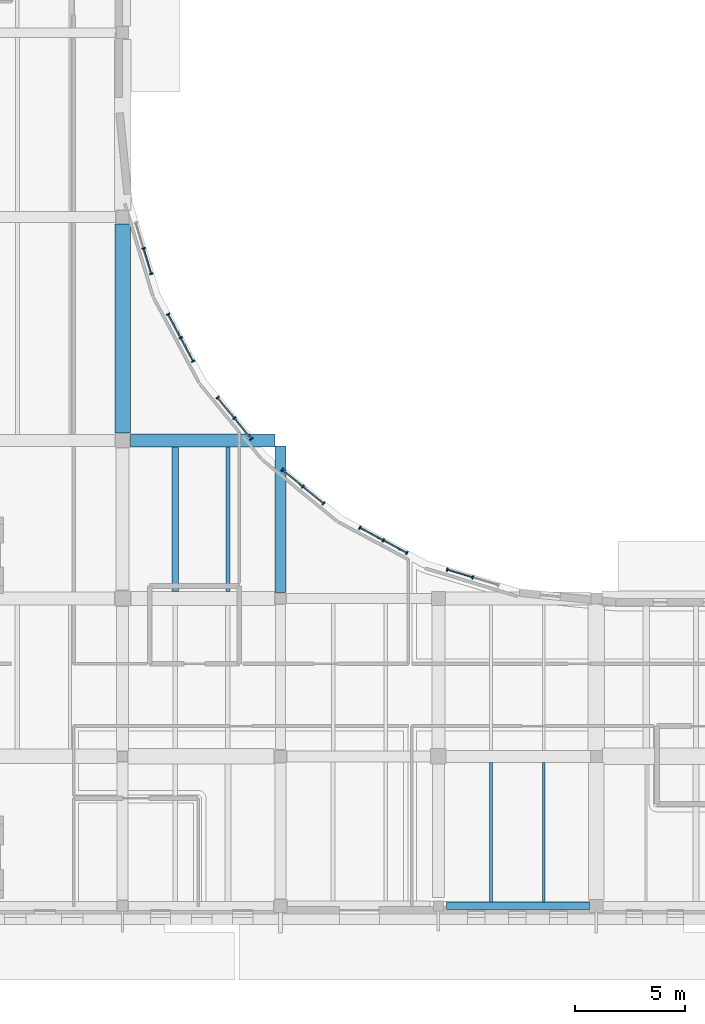
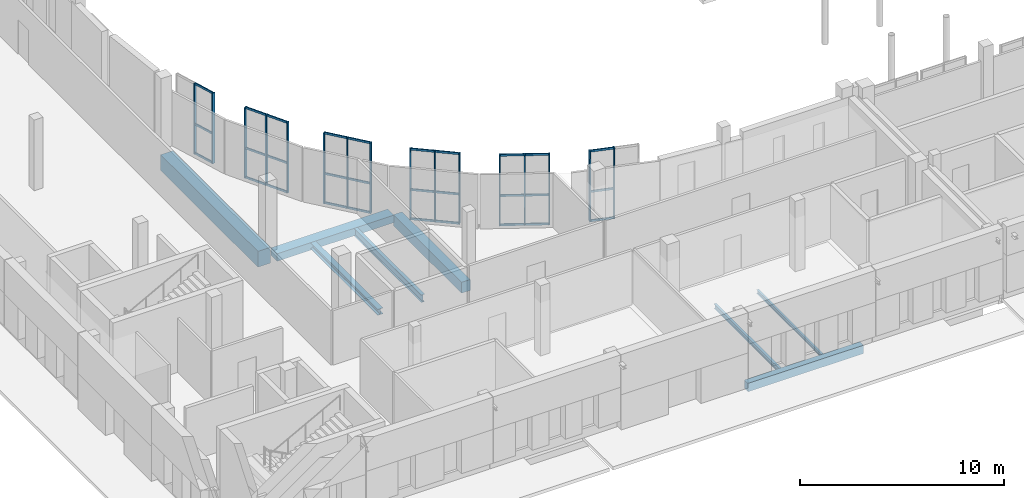
# One storey, part 8 of 77: 46 members, 8 beams, 6 elements without a shape of their own.
"""IFC4 building model written with IfcOpenShell, lengths in metres."""

from ifc_helpers import new_model, si_unit, direction, frame, origin, origin_2d, place, context, subcontext, project, spatial, rectangle, i_section, extrude, material, layer, layer_set, material_profile, profile_set, type_object, element, aggregate, save


model = new_model("IFC4")

# Units and contexts
model_context = context("Model", 3, precision=1e-05, world=origin(), true_north=direction((0.0, 1.0)))
body_context = subcontext(model_context, "Body", "Model", "MODEL_VIEW")
ifc_project = project(units=[si_unit("LENGTHUNIT", "METRE"), si_unit("AREAUNIT", "SQUARE_METRE"), si_unit("VOLUMEUNIT", "CUBIC_METRE"), si_unit("PLANEANGLEUNIT", "RADIAN"), si_unit("MASSUNIT", "GRAM", prefix="KILO")], contexts=[model_context])

# Site, building, storey
site_placement = place(None, origin())
site = spatial("IfcSite", under=ifc_project, at=site_placement, CompositionType="ELEMENT")
building_placement = place(site_placement, origin())
building = spatial("IfcBuilding", under=site, at=building_placement, Name="Vardoun Plaza Health Centre", CompositionType="ELEMENT")
storey_placement = place(building_placement, origin())
storey = spatial("IfcBuildingStorey", under=building, at=storey_placement, Name="L00", CompositionType="ELEMENT", Elevation=0.0)

# Beams
ifc_material_1 = material(Name="Concrete C35/45", Category="concrete")
ifc_material_profile_1 = material_profile(ifc_material_1, rectangle(XDim=0.35009765625, YDim=0.5, at=origin_2d()), Name="RC-BM 350x500")
ifc_profile_set_1 = profile_set([ifc_material_profile_1], Name="Concrete C35/45")
beam_type_1 = type_object("IfcBeamType", Name="B-08", PredefinedType="SPANDREL", material=ifc_profile_set_1)
beam_1_placement = place(storey_placement, frame((33.675048828125, 4.8798828125, -0.530029296875), z_axis=(1.0, 0.0, 0.0), x_axis=(0.0, 1.0, 0.0)))
element("IfcBeam", 1, at=beam_1_placement, inside=storey, type_object=beam_type_1, Name="V2 L00 Beam B-V2-L00-X28", PredefinedType="SPANDREL", context=body_context, shape_type="SweptSolid", body=[
    extrude(rectangle(XDim=0.35009765625, YDim=0.5, at=origin_2d()), origin(), (0.0, 0.0, 1.0), 6.52490234375),
])
ifc_material_2 = material(Name="Concrete C40/50", Category="concrete")
ifc_material_profile_2 = material_profile(ifc_material_2, rectangle(XDim=0.5, YDim=0.64990234375, at=origin_2d()), Name="RC-BM 500x650")
ifc_profile_set_2 = profile_set([ifc_material_profile_2], Name="Concrete C40/50")
beam_type_2 = type_object("IfcBeamType", Name="B-13", PredefinedType="BEAM", material=ifc_profile_set_2)
beam_2_placement = place(storey_placement, frame((26.10009765625, 19.175048828125, -0.60498046875), z_axis=(0.0, 1.0, 0.0), x_axis=(-1.0, 0.0, 0.0)))
element("IfcBeam", 2, at=beam_2_placement, inside=storey, type_object=beam_type_2, Name="V2 L00 Beam B-V2-L00-Y61", PredefinedType="BEAM", context=body_context, shape_type="SweptSolid", body=[
    extrude(rectangle(XDim=0.5, YDim=0.64990234375, at=origin_2d()), origin(), (0.0, 0.0, 1.0), 6.675048828125),
])
ifc_material_3 = material(Name="Concrete C35/45", Category="concrete")
ifc_material_profile_3 = material_profile(ifc_material_3, rectangle(XDim=0.60009765625, YDim=0.449951171875, at=origin_2d()), Name="RC-BM 600x450")
ifc_profile_set_3 = profile_set([ifc_material_profile_3], Name="Concrete C35/45")
beam_type_3 = type_object("IfcBeamType", Name="B-04", PredefinedType="BEAM", material=ifc_profile_set_3)
beam_3_placement = place(storey_placement, frame((19.25, 26.10009765625, -0.5048828125), z_axis=(1.0, 0.0, 0.0), x_axis=(0.0, 1.0, 0.0)))
element("IfcBeam", 3, at=beam_3_placement, inside=storey, type_object=beam_type_3, Name="V2 L00 Beam B-V2-L00-X24", PredefinedType="BEAM", context=body_context, shape_type="SweptSolid", body=[
    extrude(rectangle(XDim=0.60009765625, YDim=0.449951171875, at=origin_2d()), origin(), (0.0, 0.0, 1.0), 6.60009765625),
])
ifc_material_4 = material(Name="Concrete C40/50", Category="concrete")
ifc_material_profile_4 = material_profile(ifc_material_4, rectangle(XDim=0.699951171875, YDim=0.949951171875, at=origin_2d()), Name="RC-BM 700x950")
ifc_profile_set_4 = profile_set([ifc_material_profile_4], Name="Concrete C40/50")
beam_type_4 = type_object("IfcBeamType", Name="B-16", PredefinedType="LINTEL", material=ifc_profile_set_4)
beam_4_placement = place(storey_placement, frame((18.89990234375, 26.449951171875, -0.7548828125), z_axis=(0.0, 1.0, 0.0), x_axis=(-1.0, 0.0, 0.0)))
element("IfcBeam", 4, at=beam_4_placement, inside=storey, type_object=beam_type_4, Name="V2 L00 Beam B-V2-L00-Y53", PredefinedType="LINTEL", context=body_context, shape_type="SweptSolid", body=[
    extrude(rectangle(XDim=0.699951171875, YDim=0.949951171875, at=origin_2d()), origin(), (0.0, 0.0, 1.0), 9.525146484375),
])
ifc_material_5 = material(Name="Steel S355J2", Category="steel")
ifc_material_profile_5 = material_profile(ifc_material_5, i_section(OverallWidth=0.300048828125, OverallDepth=0.360107421875, WebThickness=0.012451171875, FlangeThickness=0.0224609375, FilletRadius=0.027099609375, at=origin_2d()), Name="HEB 360")
ifc_profile_set_5 = profile_set([ifc_material_profile_5], Name="Steel S355J2")
beam_type_5 = type_object("IfcBeamType", Name="RB-04", PredefinedType="BEAM", material=ifc_profile_set_5)
beam_5_placement = place(storey_placement, frame((21.2998046875, 19.22509765625, -0.4599609375), z_axis=(0.0, 1.0, 0.0), x_axis=(-1.0, 0.0, 0.0)))
element("IfcBeam", 5, at=beam_5_placement, inside=storey, type_object=beam_type_5, Name="V2 L00 Secondary Floor Beam SJ-V2-L00-31", PredefinedType="BEAM", context=body_context, shape_type="SweptSolid", body=[
    extrude(i_section(OverallWidth=0.300048828125, OverallDepth=0.360107421875, WebThickness=0.012451171875, FlangeThickness=0.0224609375, FilletRadius=0.027099609375, at=origin_2d()), origin(), (0.0, 0.0, 1.0), 6.574951171875),
])
ifc_material_6 = material(Name="Steel S355J2", Category="steel")
ifc_material_profile_6 = material_profile(ifc_material_6, i_section(OverallWidth=0.110107421875, OverallDepth=0.219970703125, WebThickness=0.005859375, FlangeThickness=0.00927734375, FilletRadius=0.011962890625, at=origin_2d()), Name="IPE 220")
ifc_profile_set_6 = profile_set([ifc_material_profile_6], Name="Steel S355J2")
beam_type_6 = type_object("IfcBeamType", Name="SB-18", PredefinedType="JOIST", material=ifc_profile_set_6)
beam_6_placement = place(storey_placement, frame((38.10009765625, 5.054931640625, -0.389892578125), z_axis=(0.0, 1.0, 0.0), x_axis=(-1.0, 0.0, 0.0)))
element("IfcBeam", 6, at=beam_6_placement, inside=storey, type_object=beam_type_6, Name="V2 L00 Secondary Floor Beam SJ-V2-L00-41", PredefinedType="JOIST", context=body_context, shape_type="SweptSolid", body=[
    extrude(i_section(OverallWidth=0.110107421875, OverallDepth=0.219970703125, WebThickness=0.005859375, FlangeThickness=0.00927734375, FilletRadius=0.011962890625, at=origin_2d()), origin(), (0.0, 0.0, 1.0), 6.3701171875),
])
ifc_material_7 = material(Name="Steel S355J2", Category="steel")
ifc_material_profile_7 = material_profile(ifc_material_7, i_section(OverallWidth=0.135009765625, OverallDepth=0.27001953125, WebThickness=0.006591796875, FlangeThickness=0.01025390625, FilletRadius=0.014892578125, at=origin_2d()), Name="IPE 270")
ifc_profile_set_7 = profile_set([ifc_material_profile_7], Name="Steel S355J2")
beam_type_7 = type_object("IfcBeamType", Name="SB-16", PredefinedType="JOIST", material=ifc_profile_set_7)
beam_7_placement = place(storey_placement, frame((35.69970703125, 5.054931640625, -0.4150390625), z_axis=(0.0, 1.0, 0.0), x_axis=(-1.0, 0.0, 0.0)))
element("IfcBeam", 7, at=beam_7_placement, inside=storey, type_object=beam_type_7, Name="V2 L00 Secondary Floor Beam SJ-V2-L00-39", PredefinedType="JOIST", context=body_context, shape_type="SweptSolid", body=[
    extrude(i_section(OverallWidth=0.135009765625, OverallDepth=0.27001953125, WebThickness=0.006591796875, FlangeThickness=0.01025390625, FilletRadius=0.014892578125, at=origin_2d()), origin(), (0.0, 0.0, 1.0), 6.3701171875),
])
ifc_material_8 = material(Name="Steel S355J2", Category="steel")
ifc_material_profile_8 = material_profile(ifc_material_8, i_section(OverallWidth=0.18994140625, OverallDepth=0.449951171875, WebThickness=0.009521484375, FlangeThickness=0.0146484375, FilletRadius=0.02099609375, at=origin_2d()), Name="IPE 450")
ifc_profile_set_8 = profile_set([ifc_material_profile_8], Name="Steel S355J2")
beam_type_8 = type_object("IfcBeamType", Name="SB-11", PredefinedType="BEAM", material=ifc_profile_set_8)
beam_8_placement = place(storey_placement, frame((23.7001953125, 19.22509765625, -0.5048828125), z_axis=(0.0, 1.0, 0.0), x_axis=(-1.0, 0.0, 0.0)))
element("IfcBeam", 8, at=beam_8_placement, inside=storey, type_object=beam_type_8, Name="V2 L00 Secondary Floor Beam SJ-V2-L00-34", PredefinedType="BEAM", context=body_context, shape_type="SweptSolid", body=[
    extrude(i_section(OverallWidth=0.18994140625, OverallDepth=0.449951171875, WebThickness=0.009521484375, FlangeThickness=0.0146484375, FilletRadius=0.02099609375, at=origin_2d()), origin(), (0.0, 0.0, 1.0), 6.574951171875),
])

# Curtain wall, members
ifc_material_9 = material(Name="Aluminium Alloy EN AW-6063-T6 and Low-E Glass", Category="aluminium")
ifc_layer = layer(ifc_material_9, 0.159912109375)
ifc_layer_set = layer_set([ifc_layer], Name="Aluminium Alloy EN AW-6063-T6 and Low-E Glass")
curtain_wall_type = type_object("IfcCurtainWallType", Name="CW-02", PredefinedType="USERDEFINED", material=ifc_layer_set)
curtain_wall_1_placement = place(storey_placement, origin())
curtain_wall_1 = element("IfcCurtainWall", 9, at=curtain_wall_1_placement, inside=storey, type_object=curtain_wall_type, Name="Curtain Wall CW-V2-033", ObjectType="COURTYARD_CURTAIN_WALL", PredefinedType="USERDEFINED")
ifc_material_10 = material(Name="Aluminium Alloy EN AW-6063-T6", Category="aluminium")
ifc_material_profile_9 = material_profile(ifc_material_10, rectangle(XDim=0.159912109375, YDim=0.06005859375, at=origin_2d()), Name="CWM 60x160")
ifc_profile_set_9 = profile_set([ifc_material_profile_9], Name="Aluminium Alloy EN AW-6063-T6")
member_type_1 = type_object("IfcMemberType", Name="CW-M1", PredefinedType="MULLION", material=ifc_profile_set_9)
member_1_placement = place(storey_placement, frame((19.857666015625, 34.865234375, 0.0), z_axis=(0.0, 0.0, 1.0), x_axis=(0.956935557474, 0.290300428595, 0.0)))
member_1 = element("IfcMember", 10, at=member_1_placement, type_object=member_type_1, Name="CW-V2-033 mullion 2", PredefinedType="MULLION", context=body_context, shape_type="SweptSolid", body=[
    extrude(rectangle(XDim=0.159912109375, YDim=0.06005859375, at=origin_2d()), origin(), (0.0, 0.0, 1.0), 4.219970703125),
])
member_2_placement = place(storey_placement, frame((20.21044921875, 33.7021484375, 0.0), z_axis=(0.0, 0.0, 1.0), x_axis=(0.956935557474, 0.290300428595, 0.0)))
member_2 = element("IfcMember", 11, at=member_2_placement, type_object=member_type_1, Name="CW-V2-033 mullion 3", PredefinedType="MULLION", context=body_context, shape_type="SweptSolid", body=[
    extrude(rectangle(XDim=0.159912109375, YDim=0.06005859375, at=origin_2d()), origin(), (0.0, 0.0, 1.0), 4.219970703125),
])

curtain_wall_2_placement = place(storey_placement, origin())
curtain_wall_2 = element("IfcCurtainWall", 12, at=curtain_wall_2_placement, inside=storey, type_object=curtain_wall_type, Name="Curtain Wall CW-V2-034", ObjectType="COURTYARD_CURTAIN_WALL", PredefinedType="USERDEFINED")
member_3_placement = place(storey_placement, frame((20.9736328125, 31.860107421875, 0.0), z_axis=(0.0, 0.0, 1.0), x_axis=(0.881922459667, 0.471394500535, 0.0)))
member_3 = element("IfcMember", 13, at=member_3_placement, type_object=member_type_1, Name="CW-V2-034 mullion 1", PredefinedType="MULLION", context=body_context, shape_type="SweptSolid", body=[
    extrude(rectangle(XDim=0.159912109375, YDim=0.06005859375, at=origin_2d()), origin(), (0.0, 0.0, 1.0), 4.219970703125),
])
member_4_placement = place(storey_placement, frame((21.54638671875, 30.7880859375, 0.0), z_axis=(0.0, 0.0, 1.0), x_axis=(0.881922459667, 0.471394500535, 0.0)))
member_4 = element("IfcMember", 14, at=member_4_placement, type_object=member_type_1, Name="CW-V2-034 mullion 2", PredefinedType="MULLION", context=body_context, shape_type="SweptSolid", body=[
    extrude(rectangle(XDim=0.159912109375, YDim=0.06005859375, at=origin_2d()), origin(), (0.0, 0.0, 1.0), 4.219970703125),
])
member_5_placement = place(storey_placement, frame((22.119384765625, 29.71630859375, 0.0), z_axis=(0.0, 0.0, 1.0), x_axis=(0.881922459667, 0.471394500535, 0.0)))
member_5 = element("IfcMember", 15, at=member_5_placement, type_object=member_type_1, Name="CW-V2-034 mullion 3", PredefinedType="MULLION", context=body_context, shape_type="SweptSolid", body=[
    extrude(rectangle(XDim=0.159912109375, YDim=0.06005859375, at=origin_2d()), origin(), (0.0, 0.0, 1.0), 4.219970703125),
])

curtain_wall_3_placement = place(storey_placement, origin())
curtain_wall_3 = element("IfcCurtainWall", 16, at=curtain_wall_3_placement, inside=storey, type_object=curtain_wall_type, Name="Curtain Wall CW-V2-035", ObjectType="COURTYARD_CURTAIN_WALL", PredefinedType="USERDEFINED")
member_6_placement = place(storey_placement, frame((23.227294921875, 28.058349609375, 0.0), z_axis=(0.0, 0.0, 1.0), x_axis=(0.773017333238, 0.634384900919, 0.0)))
member_6 = element("IfcMember", 17, at=member_6_placement, type_object=member_type_1, Name="CW-V2-035 mullion 1", PredefinedType="MULLION", context=body_context, shape_type="SweptSolid", body=[
    extrude(rectangle(XDim=0.159912109375, YDim=0.06005859375, at=origin_2d()), origin(), (0.0, 0.0, 1.0), 4.219970703125),
])
member_7_placement = place(storey_placement, frame((23.998291015625, 27.118896484375, 0.0), z_axis=(0.0, 0.0, 1.0), x_axis=(0.773017333238, 0.634384900919, 0.0)))
member_7 = element("IfcMember", 18, at=member_7_placement, type_object=member_type_1, Name="CW-V2-035 mullion 2", PredefinedType="MULLION", context=body_context, shape_type="SweptSolid", body=[
    extrude(rectangle(XDim=0.159912109375, YDim=0.06005859375, at=origin_2d()), origin(), (0.0, 0.0, 1.0), 4.219970703125),
])
member_8_placement = place(storey_placement, frame((24.769287109375, 26.17919921875, 0.0), z_axis=(0.0, 0.0, 1.0), x_axis=(0.773017333238, 0.634384900919, 0.0)))
member_8 = element("IfcMember", 19, at=member_8_placement, type_object=member_type_1, Name="CW-V2-035 mullion 3", PredefinedType="MULLION", context=body_context, shape_type="SweptSolid", body=[
    extrude(rectangle(XDim=0.159912109375, YDim=0.06005859375, at=origin_2d()), origin(), (0.0, 0.0, 1.0), 4.219970703125),
])

curtain_wall_4_placement = place(storey_placement, origin())
curtain_wall_4 = element("IfcCurtainWall", 20, at=curtain_wall_4_placement, inside=storey, type_object=curtain_wall_type, Name="Curtain Wall CW-V2-036", ObjectType="COURTYARD_CURTAIN_WALL", PredefinedType="USERDEFINED")
member_9_placement = place(storey_placement, frame((26.17919921875, 24.769287109375, 0.0), z_axis=(0.0, 0.0, 1.0), x_axis=(0.634384900919, 0.773017333238, 0.0)))
member_9 = element("IfcMember", 21, at=member_9_placement, type_object=member_type_1, Name="CW-V2-036 mullion 1", PredefinedType="MULLION", context=body_context, shape_type="SweptSolid", body=[
    extrude(rectangle(XDim=0.159912109375, YDim=0.06005859375, at=origin_2d()), origin(), (0.0, 0.0, 1.0), 4.219970703125),
])
member_10_placement = place(storey_placement, frame((27.118896484375, 23.998291015625, 0.0), z_axis=(0.0, 0.0, 1.0), x_axis=(0.634384900919, 0.773017333238, 0.0)))
member_10 = element("IfcMember", 22, at=member_10_placement, type_object=member_type_1, Name="CW-V2-036 mullion 2", PredefinedType="MULLION", context=body_context, shape_type="SweptSolid", body=[
    extrude(rectangle(XDim=0.159912109375, YDim=0.06005859375, at=origin_2d()), origin(), (0.0, 0.0, 1.0), 4.219970703125),
])
member_11_placement = place(storey_placement, frame((28.058349609375, 23.227294921875, 0.0), z_axis=(0.0, 0.0, 1.0), x_axis=(0.634384900919, 0.773017333238, 0.0)))
member_11 = element("IfcMember", 23, at=member_11_placement, type_object=member_type_1, Name="CW-V2-036 mullion 3", PredefinedType="MULLION", context=body_context, shape_type="SweptSolid", body=[
    extrude(rectangle(XDim=0.159912109375, YDim=0.06005859375, at=origin_2d()), origin(), (0.0, 0.0, 1.0), 4.219970703125),
])

curtain_wall_5_placement = place(storey_placement, origin())
curtain_wall_5 = element("IfcCurtainWall", 24, at=curtain_wall_5_placement, inside=storey, type_object=curtain_wall_type, Name="Curtain Wall CW-V2-037", ObjectType="COURTYARD_CURTAIN_WALL", PredefinedType="USERDEFINED")
member_12_placement = place(storey_placement, frame((29.71630859375, 22.119384765625, 0.0), z_axis=(0.0, 0.0, 1.0), x_axis=(0.471394500535, 0.881922459667, 0.0)))
member_12 = element("IfcMember", 25, at=member_12_placement, type_object=member_type_1, Name="CW-V2-037 mullion 1", PredefinedType="MULLION", context=body_context, shape_type="SweptSolid", body=[
    extrude(rectangle(XDim=0.159912109375, YDim=0.06005859375, at=origin_2d()), origin(), (0.0, 0.0, 1.0), 4.219970703125),
])
member_13_placement = place(storey_placement, frame((30.7880859375, 21.54638671875, 0.0), z_axis=(0.0, 0.0, 1.0), x_axis=(0.471394500535, 0.881922459667, 0.0)))
member_13 = element("IfcMember", 26, at=member_13_placement, type_object=member_type_1, Name="CW-V2-037 mullion 2", PredefinedType="MULLION", context=body_context, shape_type="SweptSolid", body=[
    extrude(rectangle(XDim=0.159912109375, YDim=0.06005859375, at=origin_2d()), origin(), (0.0, 0.0, 1.0), 4.219970703125),
])
member_14_placement = place(storey_placement, frame((31.860107421875, 20.9736328125, 0.0), z_axis=(0.0, 0.0, 1.0), x_axis=(0.471394500535, 0.881922459667, 0.0)))
member_14 = element("IfcMember", 27, at=member_14_placement, type_object=member_type_1, Name="CW-V2-037 mullion 3", PredefinedType="MULLION", context=body_context, shape_type="SweptSolid", body=[
    extrude(rectangle(XDim=0.159912109375, YDim=0.06005859375, at=origin_2d()), origin(), (0.0, 0.0, 1.0), 4.219970703125),
])

curtain_wall_6_placement = place(storey_placement, origin())
curtain_wall_6 = element("IfcCurtainWall", 28, at=curtain_wall_6_placement, inside=storey, type_object=curtain_wall_type, Name="Curtain Wall CW-V2-038", ObjectType="COURTYARD_CURTAIN_WALL", PredefinedType="USERDEFINED")
member_15_placement = place(storey_placement, frame((33.7021484375, 20.21044921875, 0.0), z_axis=(0.0, 0.0, 1.0), x_axis=(0.290300428595, 0.956935557474, 0.0)))
member_15 = element("IfcMember", 29, at=member_15_placement, type_object=member_type_1, Name="CW-V2-038 mullion 1", PredefinedType="MULLION", context=body_context, shape_type="SweptSolid", body=[
    extrude(rectangle(XDim=0.159912109375, YDim=0.06005859375, at=origin_2d()), origin(), (0.0, 0.0, 1.0), 4.219970703125),
])
member_16_placement = place(storey_placement, frame((34.865234375, 19.857666015625, 0.0), z_axis=(0.0, 0.0, 1.0), x_axis=(0.290300428595, 0.956935557474, 0.0)))
member_16 = element("IfcMember", 30, at=member_16_placement, type_object=member_type_1, Name="CW-V2-038 mullion 2", PredefinedType="MULLION", context=body_context, shape_type="SweptSolid", body=[
    extrude(rectangle(XDim=0.159912109375, YDim=0.06005859375, at=origin_2d()), origin(), (0.0, 0.0, 1.0), 4.219970703125),
])

# Member
ifc_material_11 = material(Name="Aluminium Alloy EN AW-6063-T6", Category="aluminium")
ifc_material_profile_10 = material_profile(ifc_material_11, rectangle(XDim=0.06005859375, YDim=0.1201171875, at=origin_2d()), Name="CWT 60x120")
ifc_profile_set_10 = profile_set([ifc_material_profile_10], Name="Aluminium Alloy EN AW-6063-T6")
member_type_2 = type_object("IfcMemberType", Name="CW-T1", PredefinedType="USERDEFINED", material=ifc_profile_set_10)
member_17_placement = place(storey_placement, frame((19.866455078125, 34.83642578125, 0.030029296875), z_axis=(0.290118820475, -0.956990632141, 0.0), x_axis=(0.956990632141, 0.290118820475, 0.0)))
member_17 = element("IfcMember", 31, at=member_17_placement, type_object=member_type_2, Name="CW-V2-033 transom 2.1", ObjectType="TRANSOM", PredefinedType="USERDEFINED", context=body_context, shape_type="SweptSolid", body=[
    extrude(rectangle(XDim=0.06005859375, YDim=0.1201171875, at=origin_2d()), origin(), (0.0, 0.0, 1.0), 1.155517578125),
])

member_18_placement = place(storey_placement, frame((19.866455078125, 34.83642578125, 1.7724609375), z_axis=(0.290118820475, -0.956990632141, 0.0), x_axis=(0.956990632141, 0.290118820475, 0.0)))
member_18 = element("IfcMember", 32, at=member_18_placement, type_object=member_type_2, Name="CW-V2-033 transom 2.2", ObjectType="TRANSOM", PredefinedType="USERDEFINED", context=body_context, shape_type="SweptSolid", body=[
    extrude(rectangle(XDim=0.06005859375, YDim=0.1201171875, at=origin_2d()), origin(), (0.0, 0.0, 1.0), 1.155517578125),
])

member_19_placement = place(storey_placement, frame((19.866455078125, 34.83642578125, 4.18994140625), z_axis=(0.290118820475, -0.956990632141, 0.0), x_axis=(0.956990632141, 0.290118820475, 0.0)))
member_19 = element("IfcMember", 33, at=member_19_placement, type_object=member_type_2, Name="CW-V2-033 transom 2.3", ObjectType="TRANSOM", PredefinedType="USERDEFINED", context=body_context, shape_type="SweptSolid", body=[
    extrude(rectangle(XDim=0.06005859375, YDim=0.1201171875, at=origin_2d()), origin(), (0.0, 0.0, 1.0), 1.155517578125),
])

aggregate(curtain_wall_1, [member_1, member_2, member_17, member_18, member_19])

member_20_placement = place(storey_placement, frame((20.98779296875, 31.83349609375, 0.030029296875), z_axis=(0.471388605101, -0.881925610798, 0.0), x_axis=(0.881925610798, 0.471388605101, 0.0)))
member_20 = element("IfcMember", 34, at=member_20_placement, type_object=member_type_2, Name="CW-V2-034 transom 1.1", ObjectType="TRANSOM", PredefinedType="USERDEFINED", context=body_context, shape_type="SweptSolid", body=[
    extrude(rectangle(XDim=0.06005859375, YDim=0.1201171875, at=origin_2d()), origin(), (0.0, 0.0, 1.0), 1.155517578125),
])

member_21_placement = place(storey_placement, frame((20.98779296875, 31.83349609375, 1.7724609375), z_axis=(0.471388605101, -0.881925610798, 0.0), x_axis=(0.881925610798, 0.471388605101, 0.0)))
member_21 = element("IfcMember", 35, at=member_21_placement, type_object=member_type_2, Name="CW-V2-034 transom 1.2", ObjectType="TRANSOM", PredefinedType="USERDEFINED", context=body_context, shape_type="SweptSolid", body=[
    extrude(rectangle(XDim=0.06005859375, YDim=0.1201171875, at=origin_2d()), origin(), (0.0, 0.0, 1.0), 1.155517578125),
])

member_22_placement = place(storey_placement, frame((20.98779296875, 31.83349609375, 4.18994140625), z_axis=(0.471388605101, -0.881925610798, 0.0), x_axis=(0.881925610798, 0.471388605101, 0.0)))
member_22 = element("IfcMember", 36, at=member_22_placement, type_object=member_type_2, Name="CW-V2-034 transom 1.3", ObjectType="TRANSOM", PredefinedType="USERDEFINED", context=body_context, shape_type="SweptSolid", body=[
    extrude(rectangle(XDim=0.06005859375, YDim=0.1201171875, at=origin_2d()), origin(), (0.0, 0.0, 1.0), 1.155517578125),
])

member_23_placement = place(storey_placement, frame((21.560546875, 30.76171875, 0.030029296875), z_axis=(0.471388605101, -0.881925610798, 0.0), x_axis=(0.881925610798, 0.471388605101, 0.0)))
member_23 = element("IfcMember", 37, at=member_23_placement, type_object=member_type_2, Name="CW-V2-034 transom 2.1", ObjectType="TRANSOM", PredefinedType="USERDEFINED", context=body_context, shape_type="SweptSolid", body=[
    extrude(rectangle(XDim=0.06005859375, YDim=0.1201171875, at=origin_2d()), origin(), (0.0, 0.0, 1.0), 1.155517578125),
])

member_24_placement = place(storey_placement, frame((21.560546875, 30.76171875, 1.7724609375), z_axis=(0.471388605101, -0.881925610798, 0.0), x_axis=(0.881925610798, 0.471388605101, 0.0)))
member_24 = element("IfcMember", 38, at=member_24_placement, type_object=member_type_2, Name="CW-V2-034 transom 2.2", ObjectType="TRANSOM", PredefinedType="USERDEFINED", context=body_context, shape_type="SweptSolid", body=[
    extrude(rectangle(XDim=0.06005859375, YDim=0.1201171875, at=origin_2d()), origin(), (0.0, 0.0, 1.0), 1.155517578125),
])

member_25_placement = place(storey_placement, frame((21.560546875, 30.76171875, 4.18994140625), z_axis=(0.471388605101, -0.881925610798, 0.0), x_axis=(0.881925610798, 0.471388605101, 0.0)))
member_25 = element("IfcMember", 39, at=member_25_placement, type_object=member_type_2, Name="CW-V2-034 transom 2.3", ObjectType="TRANSOM", PredefinedType="USERDEFINED", context=body_context, shape_type="SweptSolid", body=[
    extrude(rectangle(XDim=0.06005859375, YDim=0.1201171875, at=origin_2d()), origin(), (0.0, 0.0, 1.0), 1.155517578125),
])

aggregate(curtain_wall_2, [member_3, member_4, member_5, member_20, member_21, member_22, member_23, member_24, member_25])

member_26_placement = place(storey_placement, frame((23.246337890625, 28.03515625, 0.030029296875), z_axis=(0.634387852226, -0.773014911207, 0.0), x_axis=(0.773014911207, 0.634387852226, 0.0)))
member_26 = element("IfcMember", 40, at=member_26_placement, type_object=member_type_2, Name="CW-V2-035 transom 1.1", ObjectType="TRANSOM", PredefinedType="USERDEFINED", context=body_context, shape_type="SweptSolid", body=[
    extrude(rectangle(XDim=0.06005859375, YDim=0.1201171875, at=origin_2d()), origin(), (0.0, 0.0, 1.0), 1.1552734375),
])

member_27_placement = place(storey_placement, frame((23.246337890625, 28.03515625, 1.7724609375), z_axis=(0.634387852226, -0.773014911207, 0.0), x_axis=(0.773014911207, 0.634387852226, 0.0)))
member_27 = element("IfcMember", 41, at=member_27_placement, type_object=member_type_2, Name="CW-V2-035 transom 1.2", ObjectType="TRANSOM", PredefinedType="USERDEFINED", context=body_context, shape_type="SweptSolid", body=[
    extrude(rectangle(XDim=0.06005859375, YDim=0.1201171875, at=origin_2d()), origin(), (0.0, 0.0, 1.0), 1.1552734375),
])

member_28_placement = place(storey_placement, frame((23.246337890625, 28.03515625, 4.18994140625), z_axis=(0.634387852226, -0.773014911207, 0.0), x_axis=(0.773014911207, 0.634387852226, 0.0)))
member_28 = element("IfcMember", 42, at=member_28_placement, type_object=member_type_2, Name="CW-V2-035 transom 1.3", ObjectType="TRANSOM", PredefinedType="USERDEFINED", context=body_context, shape_type="SweptSolid", body=[
    extrude(rectangle(XDim=0.06005859375, YDim=0.1201171875, at=origin_2d()), origin(), (0.0, 0.0, 1.0), 1.1552734375),
])

member_29_placement = place(storey_placement, frame((24.017333984375, 27.095703125, 0.030029296875), z_axis=(0.634284233119, -0.77309993637, 0.0), x_axis=(0.77309993637, 0.634284233119, 0.0)))
member_29 = element("IfcMember", 43, at=member_29_placement, type_object=member_type_2, Name="CW-V2-035 transom 2.1", ObjectType="TRANSOM", PredefinedType="USERDEFINED", context=body_context, shape_type="SweptSolid", body=[
    extrude(rectangle(XDim=0.06005859375, YDim=0.1201171875, at=origin_2d()), origin(), (0.0, 0.0, 1.0), 1.155517578125),
])

member_30_placement = place(storey_placement, frame((24.017333984375, 27.095703125, 1.7724609375), z_axis=(0.634284233119, -0.77309993637, 0.0), x_axis=(0.77309993637, 0.634284233119, 0.0)))
member_30 = element("IfcMember", 44, at=member_30_placement, type_object=member_type_2, Name="CW-V2-035 transom 2.2", ObjectType="TRANSOM", PredefinedType="USERDEFINED", context=body_context, shape_type="SweptSolid", body=[
    extrude(rectangle(XDim=0.06005859375, YDim=0.1201171875, at=origin_2d()), origin(), (0.0, 0.0, 1.0), 1.155517578125),
])

member_31_placement = place(storey_placement, frame((24.017333984375, 27.095703125, 4.18994140625), z_axis=(0.634284233119, -0.77309993637, 0.0), x_axis=(0.77309993637, 0.634284233119, 0.0)))
member_31 = element("IfcMember", 45, at=member_31_placement, type_object=member_type_2, Name="CW-V2-035 transom 2.3", ObjectType="TRANSOM", PredefinedType="USERDEFINED", context=body_context, shape_type="SweptSolid", body=[
    extrude(rectangle(XDim=0.06005859375, YDim=0.1201171875, at=origin_2d()), origin(), (0.0, 0.0, 1.0), 1.155517578125),
])

aggregate(curtain_wall_3, [member_6, member_7, member_8, member_26, member_27, member_28, member_29, member_30, member_31])

member_32_placement = place(storey_placement, frame((26.202392578125, 24.750244140625, 0.030029296875), z_axis=(0.77309993637, -0.634284233119, 0.0), x_axis=(0.634284233119, 0.77309993637, 0.0)))
member_32 = element("IfcMember", 46, at=member_32_placement, type_object=member_type_2, Name="CW-V2-036 transom 1.1", ObjectType="TRANSOM", PredefinedType="USERDEFINED", context=body_context, shape_type="SweptSolid", body=[
    extrude(rectangle(XDim=0.06005859375, YDim=0.1201171875, at=origin_2d()), origin(), (0.0, 0.0, 1.0), 1.155517578125),
])

member_33_placement = place(storey_placement, frame((26.202392578125, 24.750244140625, 1.7724609375), z_axis=(0.77309993637, -0.634284233119, 0.0), x_axis=(0.634284233119, 0.77309993637, 0.0)))
member_33 = element("IfcMember", 47, at=member_33_placement, type_object=member_type_2, Name="CW-V2-036 transom 1.2", ObjectType="TRANSOM", PredefinedType="USERDEFINED", context=body_context, shape_type="SweptSolid", body=[
    extrude(rectangle(XDim=0.06005859375, YDim=0.1201171875, at=origin_2d()), origin(), (0.0, 0.0, 1.0), 1.155517578125),
])

member_34_placement = place(storey_placement, frame((26.202392578125, 24.750244140625, 4.18994140625), z_axis=(0.77309993637, -0.634284233119, 0.0), x_axis=(0.634284233119, 0.77309993637, 0.0)))
member_34 = element("IfcMember", 48, at=member_34_placement, type_object=member_type_2, Name="CW-V2-036 transom 1.3", ObjectType="TRANSOM", PredefinedType="USERDEFINED", context=body_context, shape_type="SweptSolid", body=[
    extrude(rectangle(XDim=0.06005859375, YDim=0.1201171875, at=origin_2d()), origin(), (0.0, 0.0, 1.0), 1.155517578125),
])

member_35_placement = place(storey_placement, frame((27.14208984375, 23.979248046875, 0.030029296875), z_axis=(0.773014911207, -0.634387852226, 0.0), x_axis=(0.634387852226, 0.773014911207, 0.0)))
member_35 = element("IfcMember", 49, at=member_35_placement, type_object=member_type_2, Name="CW-V2-036 transom 2.1", ObjectType="TRANSOM", PredefinedType="USERDEFINED", context=body_context, shape_type="SweptSolid", body=[
    extrude(rectangle(XDim=0.06005859375, YDim=0.1201171875, at=origin_2d()), origin(), (0.0, 0.0, 1.0), 1.1552734375),
])

member_36_placement = place(storey_placement, frame((27.14208984375, 23.979248046875, 1.7724609375), z_axis=(0.773014911207, -0.634387852226, 0.0), x_axis=(0.634387852226, 0.773014911207, 0.0)))
member_36 = element("IfcMember", 50, at=member_36_placement, type_object=member_type_2, Name="CW-V2-036 transom 2.2", ObjectType="TRANSOM", PredefinedType="USERDEFINED", context=body_context, shape_type="SweptSolid", body=[
    extrude(rectangle(XDim=0.06005859375, YDim=0.1201171875, at=origin_2d()), origin(), (0.0, 0.0, 1.0), 1.1552734375),
])

member_37_placement = place(storey_placement, frame((27.14208984375, 23.979248046875, 4.18994140625), z_axis=(0.773014911207, -0.634387852226, 0.0), x_axis=(0.634387852226, 0.773014911207, 0.0)))
member_37 = element("IfcMember", 51, at=member_37_placement, type_object=member_type_2, Name="CW-V2-036 transom 2.3", ObjectType="TRANSOM", PredefinedType="USERDEFINED", context=body_context, shape_type="SweptSolid", body=[
    extrude(rectangle(XDim=0.06005859375, YDim=0.1201171875, at=origin_2d()), origin(), (0.0, 0.0, 1.0), 1.1552734375),
])

aggregate(curtain_wall_4, [member_9, member_10, member_11, member_32, member_33, member_34, member_35, member_36, member_37])

member_38_placement = place(storey_placement, frame((29.74267578125, 22.105224609375, 0.030029296875), z_axis=(0.881925610798, -0.471388605101, 0.0), x_axis=(0.471388605101, 0.881925610798, 0.0)))
member_38 = element("IfcMember", 52, at=member_38_placement, type_object=member_type_2, Name="CW-V2-037 transom 1.1", ObjectType="TRANSOM", PredefinedType="USERDEFINED", context=body_context, shape_type="SweptSolid", body=[
    extrude(rectangle(XDim=0.06005859375, YDim=0.1201171875, at=origin_2d()), origin(), (0.0, 0.0, 1.0), 1.155517578125),
])

member_39_placement = place(storey_placement, frame((29.74267578125, 22.105224609375, 1.7724609375), z_axis=(0.881925610798, -0.471388605101, 0.0), x_axis=(0.471388605101, 0.881925610798, 0.0)))
member_39 = element("IfcMember", 53, at=member_39_placement, type_object=member_type_2, Name="CW-V2-037 transom 1.2", ObjectType="TRANSOM", PredefinedType="USERDEFINED", context=body_context, shape_type="SweptSolid", body=[
    extrude(rectangle(XDim=0.06005859375, YDim=0.1201171875, at=origin_2d()), origin(), (0.0, 0.0, 1.0), 1.155517578125),
])

member_40_placement = place(storey_placement, frame((29.74267578125, 22.105224609375, 4.18994140625), z_axis=(0.881925610798, -0.471388605101, 0.0), x_axis=(0.471388605101, 0.881925610798, 0.0)))
member_40 = element("IfcMember", 54, at=member_40_placement, type_object=member_type_2, Name="CW-V2-037 transom 1.3", ObjectType="TRANSOM", PredefinedType="USERDEFINED", context=body_context, shape_type="SweptSolid", body=[
    extrude(rectangle(XDim=0.06005859375, YDim=0.1201171875, at=origin_2d()), origin(), (0.0, 0.0, 1.0), 1.155517578125),
])

member_41_placement = place(storey_placement, frame((30.814453125, 21.532470703125, 0.030029296875), z_axis=(0.881925610798, -0.471388605101, 0.0), x_axis=(0.471388605101, 0.881925610798, 0.0)))
member_41 = element("IfcMember", 55, at=member_41_placement, type_object=member_type_2, Name="CW-V2-037 transom 2.1", ObjectType="TRANSOM", PredefinedType="USERDEFINED", context=body_context, shape_type="SweptSolid", body=[
    extrude(rectangle(XDim=0.06005859375, YDim=0.1201171875, at=origin_2d()), origin(), (0.0, 0.0, 1.0), 1.155517578125),
])

member_42_placement = place(storey_placement, frame((30.814453125, 21.532470703125, 1.7724609375), z_axis=(0.881925610798, -0.471388605101, 0.0), x_axis=(0.471388605101, 0.881925610798, 0.0)))
member_42 = element("IfcMember", 56, at=member_42_placement, type_object=member_type_2, Name="CW-V2-037 transom 2.2", ObjectType="TRANSOM", PredefinedType="USERDEFINED", context=body_context, shape_type="SweptSolid", body=[
    extrude(rectangle(XDim=0.06005859375, YDim=0.1201171875, at=origin_2d()), origin(), (0.0, 0.0, 1.0), 1.155517578125),
])

member_43_placement = place(storey_placement, frame((30.814453125, 21.532470703125, 4.18994140625), z_axis=(0.881925610798, -0.471388605101, 0.0), x_axis=(0.471388605101, 0.881925610798, 0.0)))
member_43 = element("IfcMember", 57, at=member_43_placement, type_object=member_type_2, Name="CW-V2-037 transom 2.3", ObjectType="TRANSOM", PredefinedType="USERDEFINED", context=body_context, shape_type="SweptSolid", body=[
    extrude(rectangle(XDim=0.06005859375, YDim=0.1201171875, at=origin_2d()), origin(), (0.0, 0.0, 1.0), 1.155517578125),
])

aggregate(curtain_wall_5, [member_12, member_13, member_14, member_38, member_39, member_40, member_41, member_42, member_43])

member_44_placement = place(storey_placement, frame((33.730712890625, 20.20166015625, 0.030029296875), z_axis=(0.956990632141, -0.290118820475, 0.0), x_axis=(0.290118820475, 0.956990632141, 0.0)))
member_44 = element("IfcMember", 58, at=member_44_placement, type_object=member_type_2, Name="CW-V2-038 transom 1.1", ObjectType="TRANSOM", PredefinedType="USERDEFINED", context=body_context, shape_type="SweptSolid", body=[
    extrude(rectangle(XDim=0.06005859375, YDim=0.1201171875, at=origin_2d()), origin(), (0.0, 0.0, 1.0), 1.155517578125),
])

member_45_placement = place(storey_placement, frame((33.730712890625, 20.20166015625, 1.7724609375), z_axis=(0.956990632141, -0.290118820475, 0.0), x_axis=(0.290118820475, 0.956990632141, 0.0)))
member_45 = element("IfcMember", 59, at=member_45_placement, type_object=member_type_2, Name="CW-V2-038 transom 1.2", ObjectType="TRANSOM", PredefinedType="USERDEFINED", context=body_context, shape_type="SweptSolid", body=[
    extrude(rectangle(XDim=0.06005859375, YDim=0.1201171875, at=origin_2d()), origin(), (0.0, 0.0, 1.0), 1.155517578125),
])

member_46_placement = place(storey_placement, frame((33.730712890625, 20.20166015625, 4.18994140625), z_axis=(0.956990632141, -0.290118820475, 0.0), x_axis=(0.290118820475, 0.956990632141, 0.0)))
member_46 = element("IfcMember", 60, at=member_46_placement, type_object=member_type_2, Name="CW-V2-038 transom 1.3", ObjectType="TRANSOM", PredefinedType="USERDEFINED", context=body_context, shape_type="SweptSolid", body=[
    extrude(rectangle(XDim=0.06005859375, YDim=0.1201171875, at=origin_2d()), origin(), (0.0, 0.0, 1.0), 1.155517578125),
])

aggregate(curtain_wall_6, [member_15, member_16, member_44, member_45, member_46])

save(model, "model.ifc")
